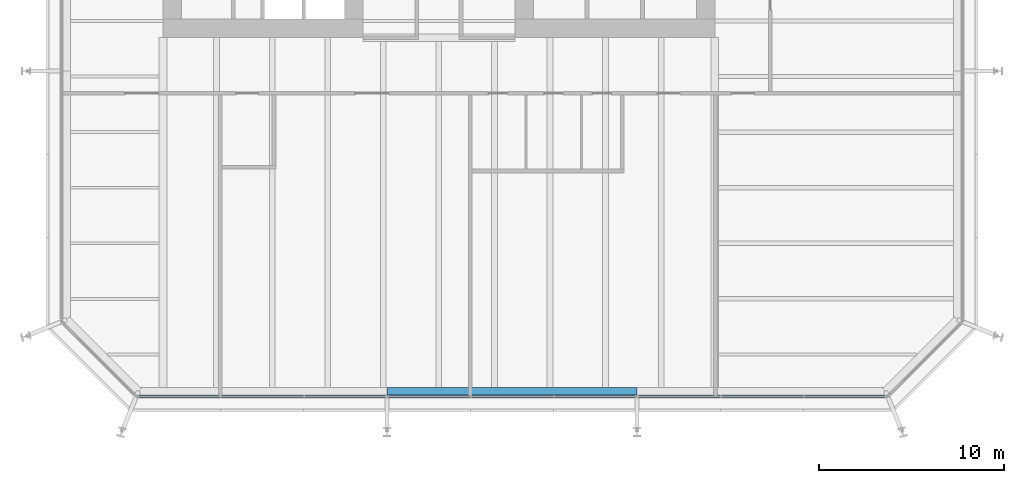
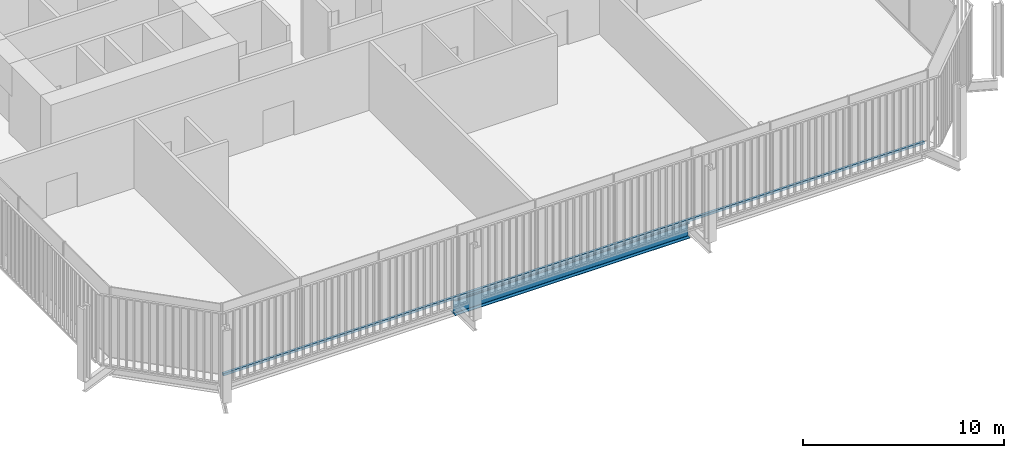
# One storey, part 3 of 20: 1 beam, 1 member, 1 element without a shape of its own.
"""IFC4 building model written with IfcOpenShell, lengths in metres."""

from ifc_helpers import new_model, si_unit, direction, frame, origin, origin_2d, place, context, subcontext, project, spatial, rectangle, i_section, extrude, material, layer, layer_set, material_profile, profile_set, type_object, element, aggregate, save


model = new_model("IFC4")

# Units and contexts
model_context = context("Model", 3, precision=1e-05, world=origin(), true_north=direction((0.0, 1.0)))
body_context = subcontext(model_context, "Body", "Model", "MODEL_VIEW")
ifc_project = project(units=[si_unit("LENGTHUNIT", "METRE"), si_unit("AREAUNIT", "SQUARE_METRE"), si_unit("VOLUMEUNIT", "CUBIC_METRE"), si_unit("PLANEANGLEUNIT", "RADIAN"), si_unit("MASSUNIT", "GRAM", prefix="KILO")], contexts=[model_context])

# Site, building, storey
site_placement = place(None, origin())
site = spatial("IfcSite", under=ifc_project, at=site_placement, CompositionType="ELEMENT")
building_placement = place(site_placement, origin())
building = spatial("IfcBuilding", under=site, at=building_placement, Name="Millrace Tower", CompositionType="ELEMENT")
storey_placement = place(building_placement, frame((0.0, 0.0, 77.60009765625)))
storey = spatial("IfcBuildingStorey", under=building, at=storey_placement, Name="L17", CompositionType="ELEMENT", Elevation=77.60009765625)

# Curtain wall, member
ifc_material_1 = material(Name="Aluminium and glass", Category="aluminium")
ifc_layer = layer(ifc_material_1, 0.14990234375)
ifc_layer_set = layer_set([ifc_layer], Name="Aluminium and glass")
curtain_wall_type = type_object("IfcCurtainWallType", Name="CW-3 telecom floor curtain wall", PredefinedType="NOTDEFINED", material=ifc_layer_set)
curtain_wall_placement = place(storey_placement, origin())
curtain_wall = element("IfcCurtainWall", 1, at=curtain_wall_placement, inside=storey, type_object=curtain_wall_type, Name="Curtain wall B-F02 L17", PredefinedType="NOTDEFINED")
ifc_material_2 = material(Name="Aluminium", Category="aluminium")
ifc_material_profile_1 = material_profile(ifc_material_2, rectangle(XDim=0.14990234375, YDim=0.14990234375, at=origin_2d()))
ifc_profile_set_1 = profile_set([ifc_material_profile_1], Name="Aluminium")
member_type = type_object("IfcMemberType", Name="CW-3 telecom floor curtain wall transom", PredefinedType="USERDEFINED", material=ifc_profile_set_1)
member_placement = place(storey_placement, frame((-16.199951171875, -29.27490234375, 0.074951171875), z_axis=(1.0, 0.0, 0.0), x_axis=(0.0, 1.0, 0.0)))
member = element("IfcMember", 2, at=member_placement, type_object=member_type, Name="CW3 transom B-F02.1", ObjectType="TRANSOM", PredefinedType="USERDEFINED", context=body_context, shape_type="SweptSolid", body=[
    extrude(rectangle(XDim=0.14990234375, YDim=0.14990234375, at=origin_2d()), origin(), (0.0, 0.0, 1.0), 40.300048828125),
])
aggregate(curtain_wall, [member])

# Beam
ifc_material_3 = material(Name="Steel ASTM A992 Grade 50", Category="steel")
ifc_material_profile_2 = material_profile(ifc_material_3, i_section(OverallWidth=0.419189453125, OverallDepth=0.927001953125, WebThickness=0.019287109375, FlangeThickness=0.031982421875, FilletRadius=0.024169921875, at=origin_2d()))
ifc_profile_set_2 = profile_set([ifc_material_profile_2], Name="Steel ASTM A992 Grade 50")
beam_type = type_object("IfcBeamType", Name="Ring beam medium span W36x231", PredefinedType="SPANDREL", material=ifc_profile_set_2)
beam_placement = place(storey_placement, frame((10.699951171875, -28.990478515625, -0.66357421875), z_axis=(-1.0, 0.0, 0.0), x_axis=(0.0, -1.0, 0.0)))
element("IfcBeam", 3, at=beam_placement, inside=storey, type_object=beam_type, Name="RNG-B-L17-S1-14", PredefinedType="SPANDREL", context=body_context, shape_type="SweptSolid", body=[
    extrude(i_section(OverallWidth=0.419189453125, OverallDepth=0.927001953125, WebThickness=0.019287109375, FlangeThickness=0.031982421875, FilletRadius=0.024169921875, at=origin_2d()), origin(), (0.0, 0.0, 1.0), 13.5),
])

save(model, "model.ifc")
